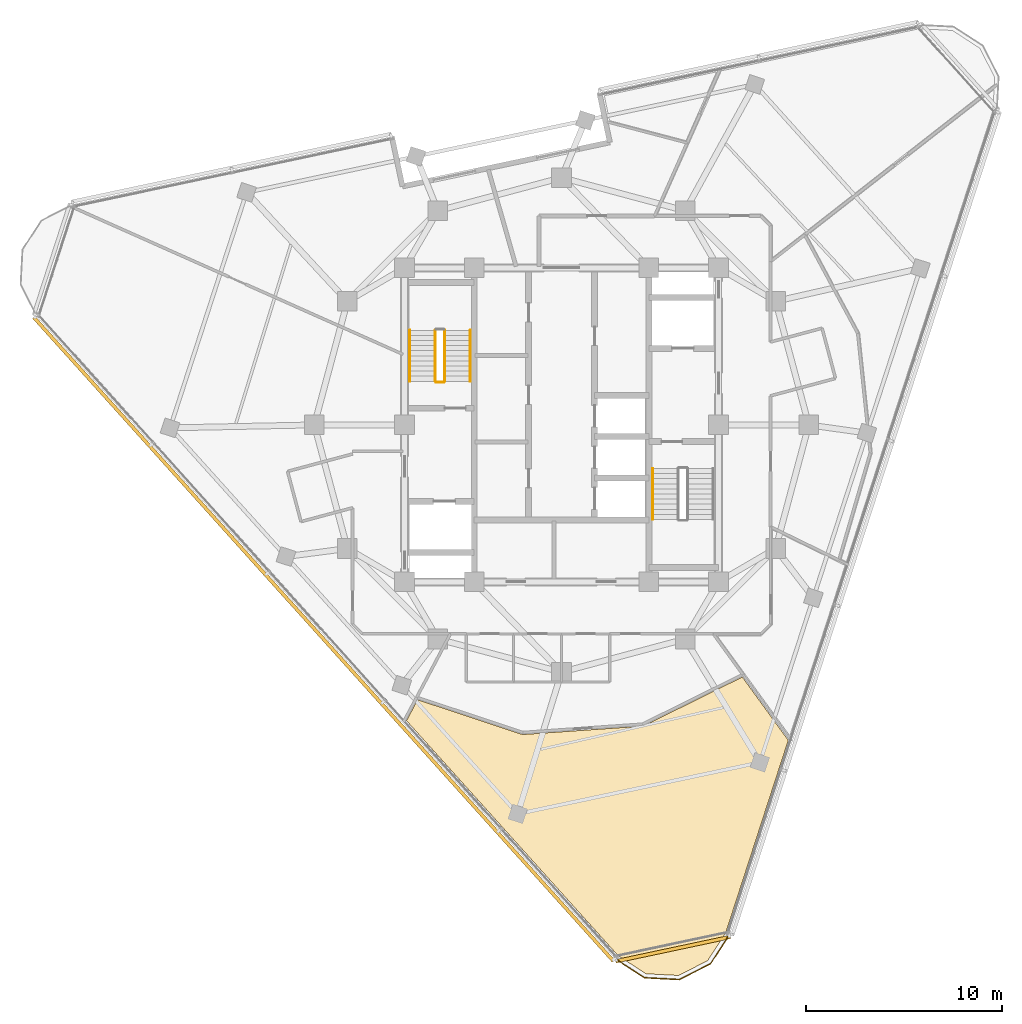
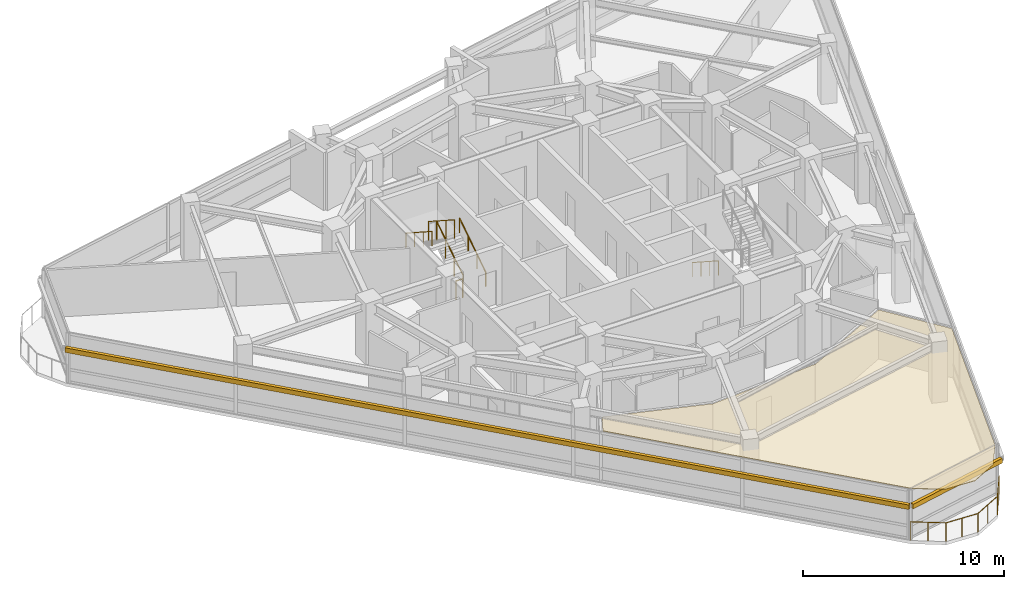
# One storey, part 12 of 15: 7 railings, 2 shading devices, 1 covering.
"""IFC4 building model written with IfcOpenShell, lengths in metres."""

from ifc_helpers import new_model, si_unit, direction, frame, origin, origin_2d, place, context, subcontext, project, spatial, polyline, rectangle, circle, outline, extrude, material, layer, layer_set, type_object, element, save


model = new_model("IFC4")

# Units and contexts
model_context = context("Model", 3, precision=1e-05, world=origin(), true_north=direction((0.0, 1.0)))
body_context = subcontext(model_context, "Body", "Model", "MODEL_VIEW")
ifc_project = project(units=[si_unit("LENGTHUNIT", "METRE"), si_unit("AREAUNIT", "SQUARE_METRE"), si_unit("VOLUMEUNIT", "CUBIC_METRE"), si_unit("PLANEANGLEUNIT", "RADIAN"), si_unit("MASSUNIT", "GRAM", prefix="KILO")], contexts=[model_context])

# Site, building, storey
site_placement = place(None, origin())
site = spatial("IfcSite", under=ifc_project, at=site_placement, CompositionType="ELEMENT")
building_placement = place(site_placement, origin())
building = spatial("IfcBuilding", under=site, at=building_placement, Name="Terralouvre Media Tower", CompositionType="ELEMENT")
storey_placement = place(building_placement, frame((0.0, 0.0, 294.300048828125)))
storey = spatial("IfcBuildingStorey", under=building, at=storey_placement, Name="L76", CompositionType="ELEMENT", Elevation=294.300048828125)

# Covering
ifc_material_1 = material(Name="Perforated aluminium acoustic ceiling baffle", Category="aluminium")
ifc_layer_1 = layer(ifc_material_1, 0.0400390625, Name="Perforated Acoustic Metal Tile Ceiling CL-AC1")
ifc_layer_set_1 = layer_set([ifc_layer_1], Name="Perforated aluminium acoustic ceiling baffle")
covering_type = type_object("IfcCoveringType", Name="Perforated Acoustic Metal Tile Ceiling CL-AC1", PredefinedType="CEILING", material=ifc_layer_set_1)
covering_placement = place(storey_placement, frame((0.0, 0.0, 2.97998046875), z_axis=(0.0, 0.0, 1.0), x_axis=(0.309016994375, 0.951056516295, 0.0)))
element("IfcCovering", 1, at=covering_placement, inside=storey, type_object=covering_type, Name="L76 UX Sprint Project Conference Room 4 Acoustic Ceiling", PredefinedType="CEILING", context=body_context, shape_type="SweptSolid", body=[
    extrude(outline(polyline([(-13.297607421875, -8.714111328125), (-13.30419921875, -8.706787109375), (-13.309814453125, -8.698974609375), (-13.314697265625, -8.6904296875), (-13.31884765625, -8.681640625), (-15.611572265625, -3.00732421875), (-15.61474609375, -2.998046875), (-15.616943359375, -2.98876953125), (-15.618408203125, -2.97900390625), (-15.618896484375, -2.96923828125), (-15.586181640625, 2.646484375), (-16.77587890625, 2.856689453125), (-24.83447265625, -11.10107421875), (-25.272705078125, -12.736083984375), (-24.841552734375, -14.342041015625), (-23.666015625, -15.518310546875), (-22.03125, -15.9560546875), (-11.716064453125, -15.95654296875), (-9.373046875, -12.730224609375), (-13.297607421875, -8.714111328125)])), origin(), (0.0, 0.0, 1.0), 0.0400390625),
])

# Railings
ifc_material_2 = material(Name="Stainless steel 316 handrail and balustrade", Category="steel")
ifc_layer_2 = layer(ifc_material_2, 0.06005859375, Name="Roof Edge Safety Guardrail GR-ROOF1")
ifc_layer_set_2 = layer_set([ifc_layer_2], Name="Stainless steel 316 handrail and balustrade")
railing_type_1 = type_object("IfcRailingType", Name="Roof Edge Safety Guardrail GR-ROOF1", PredefinedType="GUARDRAIL", material=ifc_layer_set_2)
railing_1_placement = place(storey_placement, frame((2.738037109375, -27.202880859375, 0.0)))
element("IfcRailing", 2, at=railing_1_placement, inside=storey, type_object=railing_type_1, Name="L76 Wind-Corner Perimeter Safety Guardrail C0", PredefinedType="GUARDRAIL", context=body_context, shape_type="SweptSolid", body=[
    extrude(circle(Radius=0.02099609375, at=origin_2d()), frame((0.0, 0.0, 1.12890625), z_axis=(0.838512544294, -0.544882292849, 0.0), x_axis=(0.544882292849, 0.838512544294, 0.0)), (0.0, 0.0, 1.0), 1.780029296875),
    extrude(circle(Radius=0.02099609375, at=origin_2d()), frame((1.49267578125, -0.969970703125, 1.12890625), z_axis=(0.998626153307, -0.052400438264, 0.0), x_axis=(0.052400438264, 0.998626153307, 0.0)), (0.0, 0.0, 1.0), 1.77978515625),
    extrude(circle(Radius=0.02099609375, at=origin_2d()), frame((3.27001953125, -1.063232421875, 1.12890625), z_axis=(0.890999717441, 0.454003858487, 0.0), x_axis=(-0.454003858487, 0.890999717441, 0.0)), (0.0, 0.0, 1.0), 1.780029296875),
    extrude(circle(Radius=0.02099609375, at=origin_2d()), frame((4.85595703125, -0.255126953125, 1.12890625), z_axis=(0.544371122697, 0.838844491413, 0.0), x_axis=(-0.838844491413, 0.544371122697, 0.0)), (0.0, 0.0, 1.0), 1.780029296875),
    extrude(circle(Radius=0.01904296875, at=origin_2d()), origin(), (0.0, 0.0, 1.0), 1.10791015625),
    extrude(circle(Radius=0.01904296875, at=origin_2d()), frame((0.746337890625, -0.48486328125, 0.0)), (0.0, 0.0, 1.0), 1.10791015625),
    extrude(circle(Radius=0.01904296875, at=origin_2d()), frame((1.49267578125, -0.969970703125, 0.0)), (0.0, 0.0, 1.0), 1.10791015625),
    extrude(circle(Radius=0.01904296875, at=origin_2d()), frame((2.38134765625, -1.0166015625, 0.0)), (0.0, 0.0, 1.0), 1.10791015625),
    extrude(circle(Radius=0.01904296875, at=origin_2d()), frame((3.27001953125, -1.063232421875, 0.0)), (0.0, 0.0, 1.0), 1.10791015625),
    extrude(circle(Radius=0.01904296875, at=origin_2d()), frame((4.06298828125, -0.6591796875, 0.0)), (0.0, 0.0, 1.0), 1.10791015625),
    extrude(circle(Radius=0.01904296875, at=origin_2d()), frame((4.85595703125, -0.255126953125, 0.0)), (0.0, 0.0, 1.0), 1.10791015625),
    extrude(circle(Radius=0.01904296875, at=origin_2d()), frame((5.34033203125, 0.491455078125, 0.0)), (0.0, 0.0, 1.0), 1.10791015625),
    extrude(circle(Radius=0.01904296875, at=origin_2d()), frame((5.824951171875, 1.238037109375, 0.0)), (0.0, 0.0, 1.0), 1.10791015625),
])
ifc_material_3 = material(Name="Stainless steel 316 handrail and balustrade", Category="steel")
ifc_layer_3 = layer(ifc_material_3, 0.050048828125, Name="Stair Flight Wall Handrail HR-INT1")
ifc_layer_set_3 = layer_set([ifc_layer_3], Name="Stainless steel 316 handrail and balustrade")
railing_type_2 = type_object("IfcRailingType", Name="Stair Flight Wall Handrail HR-INT1", PredefinedType="HANDRAIL", material=ifc_layer_set_3)
railing_2_placement = place(storey_placement, frame((-4.64990234375, 2.219970703125, 0.168212890625)))
element("IfcRailing", 3, at=railing_2_placement, inside=storey, type_object=railing_type_2, Name="L76 ST-01 stair handrail 1", PredefinedType="HANDRAIL", context=body_context, shape_type="SweptSolid", body=[
    extrude(circle(Radius=0.02392578125, at=origin_2d()), frame((0.0, 0.0, 0.8759765625), z_axis=(0.0, 0.839684365666, 0.543074733399), x_axis=(-1.0, 0.0, 0.0)), (0.0, 0.0, 1.0), 3.096435546875),
    extrude(circle(Radius=0.02099609375, at=origin_2d()), origin(), (0.0, 0.0, 1.0), 0.851806640625),
    extrude(circle(Radius=0.02099609375, at=origin_2d()), frame((0.0, 0.86669921875, 0.560546875)), (0.0, 0.0, 1.0), 0.851806640625),
    extrude(circle(Radius=0.02099609375, at=origin_2d()), frame((0.0, 1.7333984375, 1.12109375)), (0.0, 0.0, 1.0), 0.851806640625),
    extrude(circle(Radius=0.02099609375, at=origin_2d()), frame((0.0, 2.60009765625, 1.681640625)), (0.0, 0.0, 1.0), 0.851806640625),
])
railing_3_placement = place(storey_placement, frame((-7.72998046875, 4.820068359375, 2.01806640625)))
element("IfcRailing", 4, at=railing_3_placement, inside=storey, type_object=railing_type_2, Name="L76 ST-01 stair handrail 2", PredefinedType="HANDRAIL", context=body_context, shape_type="SweptSolid", body=[
    extrude(circle(Radius=0.02392578125, at=origin_2d()), frame((0.0, 0.0, 0.8759765625), z_axis=(0.0, -0.839648411786, 0.543130320075), x_axis=(1.0, 0.0, 0.0)), (0.0, 0.0, 1.0), 3.0966796875),
    extrude(circle(Radius=0.02099609375, at=origin_2d()), origin(), (0.0, 0.0, 1.0), 0.851806640625),
    extrude(circle(Radius=0.02099609375, at=origin_2d()), frame((0.0, -0.86669921875, 0.560546875)), (0.0, 0.0, 1.0), 0.851806640625),
    extrude(circle(Radius=0.02099609375, at=origin_2d()), frame((0.0, -1.7333984375, 1.121337890625)), (0.0, 0.0, 1.0), 0.851806640625),
    extrude(circle(Radius=0.02099609375, at=origin_2d()), frame((0.0, -2.60009765625, 1.681884765625)), (0.0, 0.0, 1.0), 0.851806640625),
])
railing_4_placement = place(storey_placement, frame((4.64990234375, -2.219970703125, 0.168212890625)))
element("IfcRailing", 5, at=railing_4_placement, inside=storey, type_object=railing_type_2, Name="L76 ST-02 stair handrail 1", PredefinedType="HANDRAIL", context=body_context, shape_type="SweptSolid", body=[
    extrude(circle(Radius=0.02392578125, at=origin_2d()), frame((0.0, 0.0, 0.8759765625), z_axis=(0.0, -0.839684365666, 0.543074733399), x_axis=(1.0, 0.0, 0.0)), (0.0, 0.0, 1.0), 3.096435546875),
    extrude(circle(Radius=0.02099609375, at=origin_2d()), origin(), (0.0, 0.0, 1.0), 0.851806640625),
    extrude(circle(Radius=0.02099609375, at=origin_2d()), frame((0.0, -0.86669921875, 0.560546875)), (0.0, 0.0, 1.0), 0.851806640625),
    extrude(circle(Radius=0.02099609375, at=origin_2d()), frame((0.0, -1.7333984375, 1.12109375)), (0.0, 0.0, 1.0), 0.851806640625),
    extrude(circle(Radius=0.02099609375, at=origin_2d()), frame((0.0, -2.60009765625, 1.681640625)), (0.0, 0.0, 1.0), 0.851806640625),
])
ifc_material_4 = material(Name="Stainless steel 316 handrail and balustrade", Category="steel")
ifc_layer_4 = layer(ifc_material_4, 0.050048828125, Name="Stairwell Safety Guardrail GR-INT1")
ifc_layer_set_4 = layer_set([ifc_layer_4], Name="Stainless steel 316 handrail and balustrade")
railing_type_3 = type_object("IfcRailingType", Name="Stairwell Safety Guardrail GR-INT1", PredefinedType="GUARDRAIL", material=ifc_layer_set_4)
railing_5_placement = place(storey_placement, frame((-5.949951171875, 2.219970703125, 0.168212890625)))
element("IfcRailing", 6, at=railing_5_placement, inside=storey, type_object=railing_type_3, Name="L76 ST-01 stair guard 1", PredefinedType="GUARDRAIL", context=body_context, shape_type="SweptSolid", body=[
    extrude(circle(Radius=0.02392578125, at=origin_2d()), frame((0.0, 0.0, 1.1259765625), z_axis=(0.0, 0.839684365666, 0.543074733399), x_axis=(-1.0, 0.0, 0.0)), (0.0, 0.0, 1.0), 3.096435546875),
    extrude(circle(Radius=0.02099609375, at=origin_2d()), origin(), (0.0, 0.0, 1.0), 1.101806640625),
    extrude(circle(Radius=0.02099609375, at=origin_2d()), frame((0.0, 0.86669921875, 0.560546875)), (0.0, 0.0, 1.0), 1.101806640625),
    extrude(circle(Radius=0.02099609375, at=origin_2d()), frame((0.0, 1.7333984375, 1.12109375)), (0.0, 0.0, 1.0), 1.101806640625),
    extrude(circle(Radius=0.02099609375, at=origin_2d()), frame((0.0, 2.60009765625, 1.681640625)), (0.0, 0.0, 1.0), 1.101806640625),
])
railing_6_placement = place(storey_placement, frame((-6.429931640625, 4.820068359375, 2.01806640625)))
element("IfcRailing", 7, at=railing_6_placement, inside=storey, type_object=railing_type_3, Name="L76 ST-01 stair guard 3", PredefinedType="GUARDRAIL", context=body_context, shape_type="SweptSolid", body=[
    extrude(circle(Radius=0.02392578125, at=origin_2d()), frame((0.0, 0.0, 1.1259765625), z_axis=(0.0, -0.839648411786, 0.543130320075), x_axis=(1.0, 0.0, 0.0)), (0.0, 0.0, 1.0), 3.0966796875),
    extrude(circle(Radius=0.02099609375, at=origin_2d()), origin(), (0.0, 0.0, 1.0), 1.101806640625),
    extrude(circle(Radius=0.02099609375, at=origin_2d()), frame((0.0, -0.86669921875, 0.560546875)), (0.0, 0.0, 1.0), 1.101806640625),
    extrude(circle(Radius=0.02099609375, at=origin_2d()), frame((0.0, -1.7333984375, 1.121337890625)), (0.0, 0.0, 1.0), 1.101806640625),
    extrude(circle(Radius=0.02099609375, at=origin_2d()), frame((0.0, -2.60009765625, 1.681884765625)), (0.0, 0.0, 1.0), 1.101806640625),
])
railing_7_placement = place(storey_placement, frame((-6.0, 2.169921875, 0.0)))
element("IfcRailing", 8, at=railing_7_placement, inside=storey, type_object=railing_type_3, Name="L76 ST-01 stair guard 4", PredefinedType="GUARDRAIL", context=body_context, shape_type="SweptSolid", body=[
    extrude(circle(Radius=0.02392578125, at=origin_2d()), frame((0.0, 0.0, 1.1259765625), z_axis=(-1.0, 0.0, 0.0), x_axis=(0.0, -1.0, 0.0)), (0.0, 0.0, 1.0), 0.3798828125),
    extrude(circle(Radius=0.02099609375, at=origin_2d()), origin(), (0.0, 0.0, 1.0), 1.101806640625),
    extrude(circle(Radius=0.02099609375, at=origin_2d()), frame((-0.3798828125, 0.0, 0.0)), (0.0, 0.0, 1.0), 1.101806640625),
])

# Shading devices
ifc_material_5 = material(Name="Extruded terracotta baguette sunshade louvres", Category="masonry")
shading_device_type = type_object("IfcShadingDeviceType", Name="Terracotta Baguette Sunshade Louvre Screen TB-LV1", PredefinedType="USERDEFINED", material=ifc_material_5)
shading_device_1_placement = place(storey_placement, frame((-12.12548828125, -10.917724609375, 2.02392578125), z_axis=(0.0, 0.0, 1.0), x_axis=(0.669130573531, -0.743144855036, 0.0)))
element("IfcShadingDevice", 9, at=shading_device_1_placement, inside=storey, type_object=shading_device_type, Name="CW-L76-F2 Terracotta Baguette Sunshade Louvre", ObjectType="BAGUETTE", PredefinedType="USERDEFINED", context=body_context, shape_type="SweptSolid", body=[
    extrude(rectangle(XDim=44.1201171875, YDim=0.179931640625, at=origin_2d()), origin(), (0.0, 0.0, 1.0), 0.280029296875),
])
shading_device_2_placement = place(storey_placement, frame((5.6787109375, -26.7158203125, 2.02392578125), z_axis=(0.0, 0.0, 1.0), x_axis=(0.978147609922, 0.207911647592, 0.0)))
element("IfcShadingDevice", 10, at=shading_device_2_placement, inside=storey, type_object=shading_device_type, Name="CW-L76-C0 Terracotta Baguette Sunshade Louvre", ObjectType="BAGUETTE", PredefinedType="USERDEFINED", context=body_context, shape_type="SweptSolid", body=[
    extrude(rectangle(XDim=5.958251953125, YDim=0.179931640625, at=origin_2d()), origin(), (0.0, 0.0, 1.0), 0.280029296875),
])

save(model, "model.ifc")
